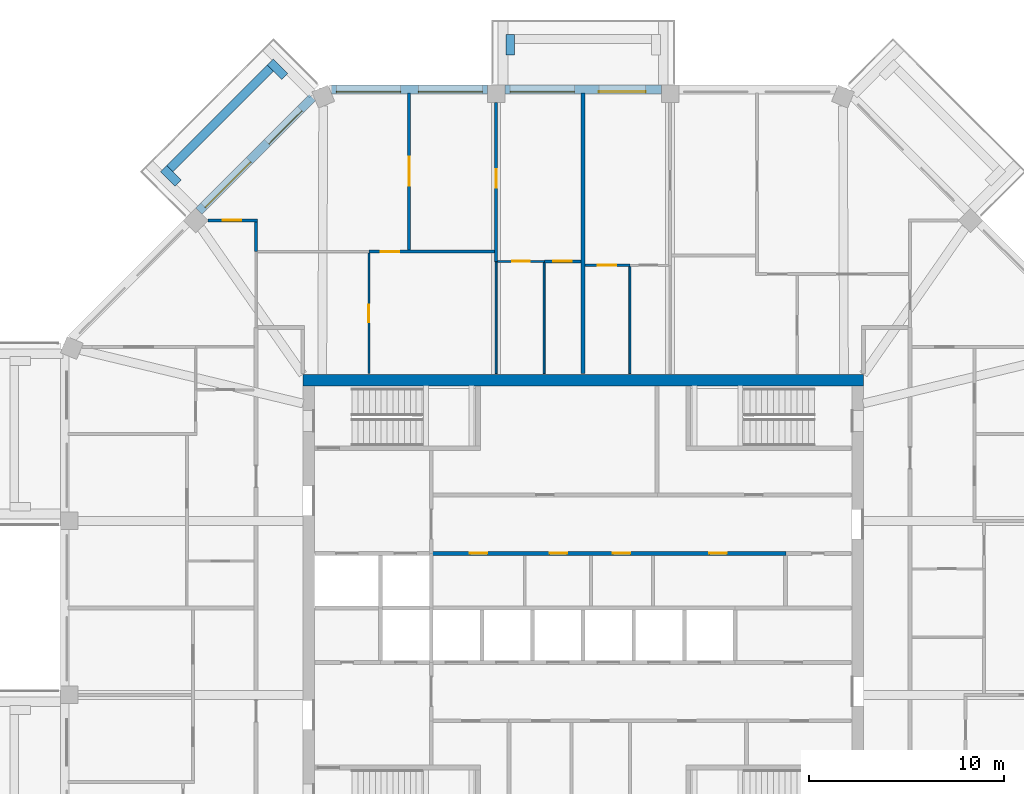
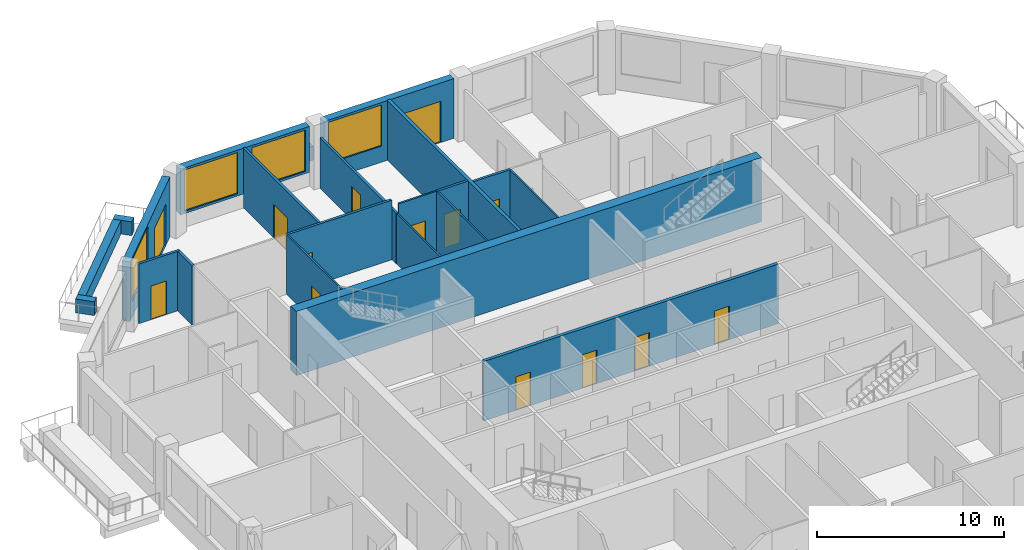
# One storey, part 8 of 12: 22 walls, 14 doors, 4 windows, 18 openings.
"""IFC4 building model written with IfcOpenShell, lengths in metres."""

from ifc_helpers import new_model, si_unit, direction, frame, frame_2d, origin, place, context, subcontext, project, spatial, rectangle, extrude, material, layer, layer_set, type_object, element, fill, save


model = new_model("IFC4")

# Units and contexts
model_context = context("Model", 3, precision=1e-05, world=origin(), true_north=direction((0.0, 1.0)))
body_context = subcontext(model_context, "Body", "Model", "MODEL_VIEW")
ifc_project = project(units=[si_unit("LENGTHUNIT", "METRE"), si_unit("AREAUNIT", "SQUARE_METRE"), si_unit("VOLUMEUNIT", "CUBIC_METRE"), si_unit("PLANEANGLEUNIT", "RADIAN"), si_unit("MASSUNIT", "GRAM", prefix="KILO")], contexts=[model_context])

# Site, building, storey
site_placement = place(None, origin())
site = spatial("IfcSite", under=ifc_project, at=site_placement, CompositionType="ELEMENT")
building_placement = place(site_placement, origin())
building = spatial("IfcBuilding", under=site, at=building_placement, Name="Msitu Wima Residences", CompositionType="ELEMENT")
storey_placement = place(building_placement, frame((0.0, 0.0, 310.5)))
storey = spatial("IfcBuildingStorey", under=building, at=storey_placement, Name="L72", CompositionType="ELEMENT", Elevation=310.5)

# Walls
ifc_material_1 = material(Name="Facing brick")
ifc_layer_1 = layer(ifc_material_1, 0.06494140625, Name="Facing brick")
ifc_material_2 = material(Name="Concrete C40/50", Category="concrete")
ifc_layer_2 = layer(ifc_material_2, 0.156005859375, Name="Concrete C40/50")
ifc_material_3 = material(Name="Waterproofing membrane")
ifc_layer_3 = layer(ifc_material_3, 0.00390625, Name="Waterproofing membrane")
ifc_material_4 = material(Name="Planting soil and planting")
ifc_layer_4 = layer(ifc_material_4, 0.22509765625, Name="Planting soil and planting")
ifc_layer_set_1 = layer_set([ifc_layer_1, ifc_layer_2, ifc_layer_3, ifc_layer_4], Name="Concrete C40/50")
wall_type_1 = type_object("IfcWallType", Name="Balcony planter PLANTER PL450", PredefinedType="USERDEFINED", material=ifc_layer_set_1)
wall_1_placement = place(storey_placement, frame((-3.74365234375, 28.39990234375, 0.0), z_axis=(0.0, 0.0, 1.0), x_axis=(0.0, 1.0, 0.0)))
element("IfcWall", 1, at=wall_1_placement, inside=storey, type_object=wall_type_1, Name="Balcony planter N1 L72", ObjectType="PLANTER", PredefinedType="USERDEFINED", context=body_context, shape_type="SweptSolid", body=[
    extrude(rectangle(XDim=1.050048828125, YDim=0.449951171875, at=frame_2d((0.52490234375, 0.0))), origin(), (0.0, 0.0, 1.0), 0.89990234375),
])
wall_2_placement = place(storey_placement, frame((-16.0751953125, 27.725830078125, 0.0), z_axis=(0.0, 0.0, 1.0), x_axis=(-0.707106781187, -0.707106781187, 0.0)))
element("IfcWall", 2, at=wall_2_placement, inside=storey, type_object=wall_type_1, Name="Balcony planter NW0 L72", ObjectType="PLANTER", PredefinedType="USERDEFINED", context=body_context, shape_type="SweptSolid", body=[
    extrude(rectangle(XDim=7.288330078125, YDim=0.449951171875, at=frame_2d((3.64404296875, 0.0))), origin(), (0.0, 0.0, 1.0), 0.89990234375),
])
for number, where, z_axis, x_axis, name in (
    (3, (-15.332763671875, 27.301513671875, 0.0), (0.0, 0.0, 1.0), (-0.707106781187, 0.707106781187, 0.0), "Balcony planter NW0 L72"),
    (4, (-20.804443359375, 21.829833984375, 0.0), (0.0, 0.0, 1.0), (-0.707106781187, 0.707106781187, 0.0), "Balcony planter NW0 L72"),
):
    element("IfcWall", number, at=place(storey_placement, frame(where, z_axis=z_axis, x_axis=x_axis)), inside=storey, type_object=wall_type_1, Name=name, ObjectType="PLANTER", PredefinedType="USERDEFINED", context=body_context, shape_type="SweptSolid", body=[
        extrude(rectangle(XDim=1.050048828125, YDim=0.449951171875, at=frame_2d((0.52490234375, 0.0))), origin(), (0.0, 0.0, 1.0), 0.89990234375),
    ])

# Wall, openings, door, window
ifc_material_5 = material(Name="Brick (red buff mix)", Category="masonry")
ifc_layer_5 = layer(ifc_material_5, 0.449951171875)
ifc_layer_set_2 = layer_set([ifc_layer_5], Name="Brick (red buff mix)")
wall_type_2 = type_object("IfcWallType", Name="Brick infill wall BW450", PredefinedType="SOLIDWALL", material=ifc_layer_set_2)
wall_3_placement = place(storey_placement, frame((4.0185546875, 26.625, 0.0), z_axis=(0.0, 0.0, 1.0), x_axis=(-1.0, 0.0, 0.0)))
wall_3 = element("IfcWall", 5, at=wall_3_placement, inside=storey, type_object=wall_type_2, Name="Brick infill wall L72 N1", PredefinedType="SOLIDWALL", context=body_context, shape_type="SweptSolid", body=[
    extrude(rectangle(XDim=8.037109375, YDim=0.449951171875, at=frame_2d((4.0185546875, 0.0))), origin(), (0.0, 0.0, 1.0), 3.89990234375),
])
opening_1_placement = place(wall_3_placement, frame((0.809326171875, 0.0, 0.0)))
opening_1 = element("IfcOpeningElement", 6, at=opening_1_placement, cuts=wall_3, Name="Opening D72.003", PredefinedType="OPENING", context=body_context, shape_type="SweptSolid", body=[
    extrude(rectangle(XDim=2.39990234375, YDim=2.699951171875, at=frame_2d((1.199951171875, 1.35009765625))), frame((0.0, 0.23486328125, 0.0), z_axis=(0.0, -1.0, 0.0), x_axis=(1.0, 0.0, 0.0)), (0.0, 0.0, 1.0), 0.469970703125),
])
opening_2_placement = place(wall_3_placement, frame((4.46875, 0.0, 1.050048828125)))
opening_2 = element("IfcOpeningElement", 7, at=opening_2_placement, cuts=wall_3, Name="Opening W72.007", PredefinedType="OPENING", context=body_context, shape_type="SweptSolid", body=[
    extrude(rectangle(XDim=3.300048828125, YDim=2.699951171875, at=frame_2d((1.64990234375, 1.35009765625))), frame((0.0, 0.23486328125, 0.0), z_axis=(0.0, -1.0, 0.0), x_axis=(1.0, 0.0, 0.0)), (0.0, 0.0, 1.0), 0.469970703125),
])
ifc_material_6 = material(Name="Anodised aluminium, bronze finish, clear low-emissivity double glazing", Category="aluminium")
door_type_1 = type_object("IfcDoorType", Name="Balcony door D2400x2700", OperationType="SLIDING_TO_LEFT", PredefinedType="DOOR", material=ifc_material_6)
door_1_placement = place(opening_1_placement, origin())
door_1 = element("IfcDoor", 8, at=door_1_placement, inside=storey, type_object=door_type_1, Name="Balcony door L72 N1", OperationType="SINGLE_SWING_LEFT", OverallHeight=2.699951171875, OverallWidth=2.39990234375, PredefinedType="DOOR", context=body_context, shape_type="SweptSolid", body=[
    extrude(rectangle(XDim=2.39990234375, YDim=2.699951171875, at=frame_2d((1.199951171875, 1.35009765625))), frame((0.0, 0.1298828125, 0.0), z_axis=(0.0, -1.0, 0.0), x_axis=(1.0, 0.0, 0.0)), (0.0, 0.0, 1.0), 0.050048828125),
])
fill(opening_1, door_1)
window_type = type_object("IfcWindowType", Name="Window W3300x2700", PartitioningType="DOUBLE_PANEL_VERTICAL", PredefinedType="WINDOW", material=ifc_material_6)
window_1_placement = place(opening_2_placement, origin())
window_1 = element("IfcWindow", 9, at=window_1_placement, inside=storey, type_object=window_type, Name="Window L72 N1.2", OverallHeight=2.699951171875, OverallWidth=3.300048828125, PartitioningType="SINGLE_PANEL", PredefinedType="WINDOW", context=body_context, shape_type="SweptSolid", body=[
    extrude(rectangle(XDim=3.300048828125, YDim=2.699951171875, at=frame_2d((1.64990234375, 1.35009765625))), frame((0.0, 0.135009765625, 0.0), z_axis=(0.0, -1.0, 0.0), x_axis=(1.0, 0.0, 0.0)), (0.0, 0.0, 1.0), 0.06005859375),
])
fill(opening_2, window_1)

# Wall, openings, windows
wall_4_placement = place(storey_placement, frame((-4.918701171875, 26.625, 0.89990234375), z_axis=(0.0, 0.0, 1.0), x_axis=(-1.0, 0.0, 0.0)))
wall_4 = element("IfcWall", 10, at=wall_4_placement, inside=storey, type_object=wall_type_2, Name="Brick infill wall L72 N2", PredefinedType="SOLIDWALL", context=body_context, shape_type="SweptSolid", body=[
    extrude(rectangle(XDim=8.0, YDim=0.449951171875, at=frame_2d((4.0, 0.0))), origin(), (0.0, 0.0, 1.0), 3.0),
])
opening_3_placement = place(wall_4_placement, frame((0.25, 0.0, 0.14990234375)))
opening_3 = element("IfcOpeningElement", 11, at=opening_3_placement, cuts=wall_4, Name="Opening W72.008", PredefinedType="OPENING", context=body_context, shape_type="SweptSolid", body=[
    extrude(rectangle(XDim=3.300048828125, YDim=2.699951171875, at=frame_2d((1.64990234375, 1.35009765625))), frame((0.0, 0.23486328125, 0.0), z_axis=(0.0, -1.0, 0.0), x_axis=(1.0, 0.0, 0.0)), (0.0, 0.0, 1.0), 0.469970703125),
])
opening_4_placement = place(wall_4_placement, frame((4.4501953125, 0.0, 0.14990234375)))
opening_4 = element("IfcOpeningElement", 12, at=opening_4_placement, cuts=wall_4, Name="Opening W72.009", PredefinedType="OPENING", context=body_context, shape_type="SweptSolid", body=[
    extrude(rectangle(XDim=3.300048828125, YDim=2.699951171875, at=frame_2d((1.64990234375, 1.35009765625))), frame((0.0, 0.23486328125, 0.0), z_axis=(0.0, -1.0, 0.0), x_axis=(1.0, 0.0, 0.0)), (0.0, 0.0, 1.0), 0.469970703125),
])
window_2_placement = place(opening_3_placement, origin())
window_2 = element("IfcWindow", 13, at=window_2_placement, inside=storey, type_object=window_type, Name="Window L72 N2.1", OverallHeight=2.699951171875, OverallWidth=3.300048828125, PartitioningType="SINGLE_PANEL", PredefinedType="WINDOW", context=body_context, shape_type="SweptSolid", body=[
    extrude(rectangle(XDim=3.300048828125, YDim=2.699951171875, at=frame_2d((1.64990234375, 1.35009765625))), frame((0.0, 0.135009765625, 0.0), z_axis=(0.0, -1.0, 0.0), x_axis=(1.0, 0.0, 0.0)), (0.0, 0.0, 1.0), 0.06005859375),
])
fill(opening_3, window_2)
window_3_placement = place(opening_4_placement, origin())
window_3 = element("IfcWindow", 14, at=window_3_placement, inside=storey, type_object=window_type, Name="Window L72 N2.2", OverallHeight=2.699951171875, OverallWidth=3.300048828125, PartitioningType="SINGLE_PANEL", PredefinedType="WINDOW", context=body_context, shape_type="SweptSolid", body=[
    extrude(rectangle(XDim=3.300048828125, YDim=2.699951171875, at=frame_2d((1.64990234375, 1.35009765625))), frame((0.0, 0.135009765625, 0.0), z_axis=(0.0, -1.0, 0.0), x_axis=(1.0, 0.0, 0.0)), (0.0, 0.0, 1.0), 0.06005859375),
])
fill(opening_4, window_3)

# Wall, openings, door, window
wall_5_placement = place(storey_placement, frame((-13.909423828125, 26.214599609375, 0.0), z_axis=(0.0, 0.0, 1.0), x_axis=(-0.707106781187, -0.707106781187, 0.0)))
wall_5 = element("IfcWall", 15, at=wall_5_placement, inside=storey, type_object=wall_type_2, Name="Brick infill wall L72 NW0", PredefinedType="SOLIDWALL", context=body_context, shape_type="SweptSolid", body=[
    extrude(rectangle(XDim=8.251220703125, YDim=0.449951171875, at=frame_2d((4.12548828125, 0.0))), origin(), (0.0, 0.0, 1.0), 3.89990234375),
])
opening_5_placement = place(wall_5_placement, frame((0.86279296875, 0.0, 0.0)))
opening_5 = element("IfcOpeningElement", 16, at=opening_5_placement, cuts=wall_5, Name="Opening D72.005", PredefinedType="OPENING", context=body_context, shape_type="SweptSolid", body=[
    extrude(rectangle(XDim=2.39990234375, YDim=2.699951171875, at=frame_2d((1.199951171875, 1.35009765625))), frame((0.0, 0.23486328125, 0.0), z_axis=(0.0, -1.0, 0.0), x_axis=(1.0, 0.0, 0.0)), (0.0, 0.0, 1.0), 0.469970703125),
])
opening_6_placement = place(wall_5_placement, frame((4.57568359375, 0.0, 1.050048828125)))
opening_6 = element("IfcOpeningElement", 17, at=opening_6_placement, cuts=wall_5, Name="Opening W72.013", PredefinedType="OPENING", context=body_context, shape_type="SweptSolid", body=[
    extrude(rectangle(XDim=3.300048828125, YDim=2.699951171875, at=frame_2d((1.64990234375, 1.35009765625))), frame((0.0, 0.23486328125, 0.0), z_axis=(0.0, -1.0, 0.0), x_axis=(1.0, 0.0, 0.0)), (0.0, 0.0, 1.0), 0.469970703125),
])
door_2_placement = place(opening_5_placement, origin())
door_2 = element("IfcDoor", 18, at=door_2_placement, inside=storey, type_object=door_type_1, Name="Balcony door L72 NW0", OperationType="SINGLE_SWING_LEFT", OverallHeight=2.699951171875, OverallWidth=2.39990234375, PredefinedType="DOOR", context=body_context, shape_type="SweptSolid", body=[
    extrude(rectangle(XDim=2.39990234375, YDim=2.699951171875, at=frame_2d((1.199951171875, 1.35009765625))), frame((0.0, 0.1298828125, 0.0), z_axis=(0.0, -1.0, 0.0), x_axis=(1.0, 0.0, 0.0)), (0.0, 0.0, 1.0), 0.050048828125),
])
fill(opening_5, door_2)
window_4_placement = place(opening_6_placement, origin())
window_4 = element("IfcWindow", 19, at=window_4_placement, inside=storey, type_object=window_type, Name="Window L72 NW0.2", OverallHeight=2.699951171875, OverallWidth=3.300048828125, PartitioningType="SINGLE_PANEL", PredefinedType="WINDOW", context=body_context, shape_type="SweptSolid", body=[
    extrude(rectangle(XDim=3.300048828125, YDim=2.699951171875, at=frame_2d((1.64990234375, 1.35009765625))), frame((0.0, 0.135009765625, 0.0), z_axis=(0.0, -1.0, 0.0), x_axis=(1.0, 0.0, 0.0)), (0.0, 0.0, 1.0), 0.06005859375),
])
fill(opening_6, window_4)

# Wall
ifc_material_7 = material(Name="Concrete C50/60", Category="concrete")
ifc_layer_6 = layer(ifc_material_7, 0.60009765625)
ifc_layer_set_3 = layer_set([ifc_layer_6], Name="Concrete C50/60")
wall_type_3 = type_object("IfcWallType", Name="Core wall CW600 C50/60", PredefinedType="SHEAR", material=ifc_layer_set_3)
wall_6_placement = place(storey_placement, frame((-14.39990234375, 11.699951171875, 0.0), z_axis=(0.0, 0.0, 1.0), x_axis=(1.0, 0.0, 0.0)))
element("IfcWall", 20, at=wall_6_placement, inside=storey, type_object=wall_type_3, Name="Core wall", PredefinedType="SHEAR", context=body_context, shape_type="SweptSolid", body=[
    extrude(rectangle(XDim=28.7998046875, YDim=0.60009765625, at=frame_2d((14.39990234375, 0.0))), origin(), (0.0, 0.0, 1.0), 4.199951171875),
])

# Wall, openings, doors
ifc_material_8 = material(Name="Plaster")
ifc_layer_7 = layer(ifc_material_8, 0.011962890625, Name="Plaster")
ifc_material_9 = material(Name="Concrete blockwork", Category="masonry")
ifc_layer_8 = layer(ifc_material_9, 0.176025390625, Name="Concrete blockwork")
ifc_layer_9 = layer(ifc_material_8, 0.011962890625, Name="Plaster")
ifc_layer_set_4 = layer_set([ifc_layer_7, ifc_layer_8, ifc_layer_9], Name="Concrete blockwork")
wall_type_4 = type_object("IfcWallType", Name="Corridor wall FW200", PredefinedType="PARTITIONING", material=ifc_layer_set_4)
wall_7_placement = place(storey_placement, frame((-7.820068359375, 2.800048828125, 0.0), z_axis=(0.0, 0.0, 1.0), x_axis=(1.0, 0.0, 0.0)))
wall_7 = element("IfcWall", 21, at=wall_7_placement, inside=storey, type_object=wall_type_4, Name="Corridor wall", PredefinedType="PARTITIONING", context=body_context, shape_type="SweptSolid", body=[
    extrude(rectangle(XDim=18.239990234375, YDim=0.199951171875, at=frame_2d((9.1201171875, 0.0))), origin(), (0.0, 0.0, 1.0), 3.89990234375),
])
opening_7_placement = place(wall_7_placement, frame((2.0, 0.0, 0.0)))
opening_7 = element("IfcOpeningElement", 22, at=opening_7_placement, cuts=wall_7, Name="Opening D72.078", PredefinedType="OPENING", context=body_context, shape_type="SweptSolid", body=[
    extrude(rectangle(XDim=0.89990234375, YDim=2.199951171875, at=frame_2d((0.449951171875, 1.10009765625))), frame((0.0, 0.10986328125, 0.0), z_axis=(0.0, -1.0, 0.0), x_axis=(1.0, 0.0, 0.0)), (0.0, 0.0, 1.0), 0.219970703125),
])
opening_8_placement = place(wall_7_placement, frame((6.10009765625, 0.0, 0.0)))
opening_8 = element("IfcOpeningElement", 23, at=opening_8_placement, cuts=wall_7, Name="Opening D72.079", PredefinedType="OPENING", context=body_context, shape_type="SweptSolid", body=[
    extrude(rectangle(XDim=0.89990234375, YDim=2.199951171875, at=frame_2d((0.449951171875, 1.10009765625))), frame((0.0, 0.10986328125, 0.0), z_axis=(0.0, -1.0, 0.0), x_axis=(1.0, 0.0, 0.0)), (0.0, 0.0, 1.0), 0.219970703125),
])
opening_9_placement = place(wall_7_placement, frame((9.35009765625, 0.0, 0.0)))
opening_9 = element("IfcOpeningElement", 24, at=opening_9_placement, cuts=wall_7, Name="Opening D72.080", PredefinedType="OPENING", context=body_context, shape_type="SweptSolid", body=[
    extrude(rectangle(XDim=0.89990234375, YDim=2.199951171875, at=frame_2d((0.449951171875, 1.10009765625))), frame((0.0, 0.10986328125, 0.0), z_axis=(0.0, -1.0, 0.0), x_axis=(1.0, 0.0, 0.0)), (0.0, 0.0, 1.0), 0.219970703125),
])
opening_10_placement = place(wall_7_placement, frame((14.300048828125, 0.0, 0.0)))
opening_10 = element("IfcOpeningElement", 25, at=opening_10_placement, cuts=wall_7, Name="Opening D72.081", PredefinedType="OPENING", context=body_context, shape_type="SweptSolid", body=[
    extrude(rectangle(XDim=0.89990234375, YDim=2.199951171875, at=frame_2d((0.449951171875, 1.10009765625))), frame((0.0, 0.10986328125, 0.0), z_axis=(0.0, -1.0, 0.0), x_axis=(1.0, 0.0, 0.0)), (0.0, 0.0, 1.0), 0.219970703125),
])
ifc_material_10 = material(Name="Timber flush door", Category="wood")
door_type_2 = type_object("IfcDoorType", Name="Service door D05 900x2200", OperationType="SINGLE_SWING_LEFT", PredefinedType="DOOR", material=ifc_material_10)
door_3_placement = place(opening_7_placement, origin())
door_3 = element("IfcDoor", 26, at=door_3_placement, inside=storey, type_object=door_type_2, Name="Service door", OperationType="SINGLE_SWING_LEFT", OverallHeight=2.199951171875, OverallWidth=0.89990234375, PredefinedType="DOOR", context=body_context, shape_type="SweptSolid", body=[
    extrude(rectangle(XDim=0.89990234375, YDim=2.199951171875, at=frame_2d((0.449951171875, 1.10009765625))), frame((0.0, 0.02490234375, 0.0), z_axis=(0.0, -1.0, 0.0), x_axis=(1.0, 0.0, 0.0)), (0.0, 0.0, 1.0), 0.050048828125),
])
fill(opening_7, door_3)
door_4_placement = place(opening_8_placement, origin())
door_4 = element("IfcDoor", 27, at=door_4_placement, inside=storey, type_object=door_type_2, Name="Service door", OperationType="SINGLE_SWING_LEFT", OverallHeight=2.199951171875, OverallWidth=0.89990234375, PredefinedType="DOOR", context=body_context, shape_type="SweptSolid", body=[
    extrude(rectangle(XDim=0.89990234375, YDim=2.199951171875, at=frame_2d((0.449951171875, 1.10009765625))), frame((0.0, 0.02490234375, 0.0), z_axis=(0.0, -1.0, 0.0), x_axis=(1.0, 0.0, 0.0)), (0.0, 0.0, 1.0), 0.050048828125),
])
fill(opening_8, door_4)
door_5_placement = place(opening_9_placement, origin())
door_5 = element("IfcDoor", 28, at=door_5_placement, inside=storey, type_object=door_type_2, Name="Service door", OperationType="SINGLE_SWING_RIGHT", OverallHeight=2.199951171875, OverallWidth=0.89990234375, PredefinedType="DOOR", context=body_context, shape_type="SweptSolid", body=[
    extrude(rectangle(XDim=0.89990234375, YDim=2.199951171875, at=frame_2d((0.449951171875, 1.10009765625))), frame((0.0, 0.02490234375, 0.0), z_axis=(0.0, -1.0, 0.0), x_axis=(1.0, 0.0, 0.0)), (0.0, 0.0, 1.0), 0.050048828125),
])
fill(opening_9, door_5)
door_6_placement = place(opening_10_placement, origin())
door_6 = element("IfcDoor", 29, at=door_6_placement, inside=storey, type_object=door_type_2, Name="Service door", OperationType="SINGLE_SWING_RIGHT", OverallHeight=2.199951171875, OverallWidth=0.89990234375, PredefinedType="DOOR", context=body_context, shape_type="SweptSolid", body=[
    extrude(rectangle(XDim=0.89990234375, YDim=2.199951171875, at=frame_2d((0.449951171875, 1.10009765625))), frame((0.0, 0.02490234375, 0.0), z_axis=(0.0, -1.0, 0.0), x_axis=(1.0, 0.0, 0.0)), (0.0, 0.0, 1.0), 0.050048828125),
])
fill(opening_10, door_6)

# Wall, opening, door
ifc_layer_10 = layer(ifc_material_8, 0.011962890625, Name="Plaster")
ifc_layer_11 = layer(ifc_material_9, 0.1259765625, Name="Concrete blockwork")
ifc_layer_12 = layer(ifc_material_8, 0.011962890625, Name="Plaster")
ifc_layer_set_5 = layer_set([ifc_layer_10, ifc_layer_11, ifc_layer_12], Name="Concrete blockwork")
wall_type_5 = type_object("IfcWallType", Name="Partition PW150", PredefinedType="PARTITIONING", material=ifc_layer_set_5)
wall_8_placement = place(storey_placement, frame((-19.2666015625, 19.90283203125, 0.0), z_axis=(0.0, 0.0, 1.0), x_axis=(1.0, 0.0, 0.0)))
wall_8 = element("IfcWall", 30, at=wall_8_placement, inside=storey, type_object=wall_type_5, Name="Partition", PredefinedType="PARTITIONING", context=body_context, shape_type="SweptSolid", body=[
    extrude(rectangle(XDim=2.54150390625, YDim=0.14990234375, at=frame_2d((1.270751953125, 0.0))), origin(), (0.0, 0.0, 1.0), 3.89990234375),
])
opening_11_placement = place(wall_8_placement, frame((0.75, 0.0, 0.0)))
opening_11 = element("IfcOpeningElement", 31, at=opening_11_placement, cuts=wall_8, Name="Opening D72.046", PredefinedType="OPENING", context=body_context, shape_type="SweptSolid", body=[
    extrude(rectangle(XDim=0.949951171875, YDim=2.199951171875, at=frame_2d((0.47509765625, 1.10009765625))), frame((0.0, 0.0849609375, 0.0), z_axis=(0.0, -1.0, 0.0), x_axis=(1.0, 0.0, 0.0)), (0.0, 0.0, 1.0), 0.169921875),
])
door_type_3 = type_object("IfcDoorType", Name="Room door D12 950x2200", OperationType="SINGLE_SWING_LEFT", PredefinedType="DOOR", material=ifc_material_10)
door_7_placement = place(opening_11_placement, origin())
door_7 = element("IfcDoor", 32, at=door_7_placement, inside=storey, type_object=door_type_3, Name="Room door", OperationType="SINGLE_SWING_LEFT", OverallHeight=2.199951171875, OverallWidth=0.949951171875, PredefinedType="DOOR", context=body_context, shape_type="SweptSolid", body=[
    extrude(rectangle(XDim=0.949951171875, YDim=2.199951171875, at=frame_2d((0.47509765625, 1.10009765625))), frame((0.0, 0.02490234375, 0.0), z_axis=(0.0, -1.0, 0.0), x_axis=(1.0, 0.0, 0.0)), (0.0, 0.0, 1.0), 0.050048828125),
])
fill(opening_11, door_7)

# Wall
wall_9_placement = place(storey_placement, frame((-16.800048828125, 18.300048828125, 0.0), z_axis=(0.0, 0.0, 1.0), x_axis=(0.0, 1.0, 0.0)))
element("IfcWall", 33, at=wall_9_placement, inside=storey, type_object=wall_type_5, Name="Partition", PredefinedType="PARTITIONING", context=body_context, shape_type="SweptSolid", body=[
    extrude(rectangle(XDim=1.52783203125, YDim=0.14990234375, at=frame_2d((0.763916015625, 0.0))), origin(), (0.0, 0.0, 1.0), 3.89990234375),
])

# Wall, opening, door
wall_10_placement = place(storey_placement, frame((-11.0, 18.300048828125, 0.0), z_axis=(0.0, 0.0, 1.0), x_axis=(1.0, 0.0, 0.0)))
wall_10 = element("IfcWall", 34, at=wall_10_placement, inside=storey, type_object=wall_type_5, Name="Partition", PredefinedType="PARTITIONING", context=body_context, shape_type="SweptSolid", body=[
    extrude(rectangle(XDim=6.456298828125, YDim=0.14990234375, at=frame_2d((3.22802734375, 0.0))), origin(), (0.0, 0.0, 1.0), 3.89990234375),
])
opening_12_placement = place(wall_10_placement, frame((0.60009765625, 0.0, 0.0)))
opening_12 = element("IfcOpeningElement", 35, at=opening_12_placement, cuts=wall_10, Name="Opening D72.047", PredefinedType="OPENING", context=body_context, shape_type="SweptSolid", body=[
    extrude(rectangle(XDim=0.949951171875, YDim=2.199951171875, at=frame_2d((0.47509765625, 1.10009765625))), frame((0.0, 0.0849609375, 0.0), z_axis=(0.0, -1.0, 0.0), x_axis=(1.0, 0.0, 0.0)), (0.0, 0.0, 1.0), 0.169921875),
])
door_8_placement = place(opening_12_placement, origin())
door_8 = element("IfcDoor", 36, at=door_8_placement, inside=storey, type_object=door_type_3, Name="Room door", OperationType="SINGLE_SWING_RIGHT", OverallHeight=2.199951171875, OverallWidth=0.949951171875, PredefinedType="DOOR", context=body_context, shape_type="SweptSolid", body=[
    extrude(rectangle(XDim=0.949951171875, YDim=2.199951171875, at=frame_2d((0.47509765625, 1.10009765625))), frame((0.0, 0.02490234375, 0.0), z_axis=(0.0, -1.0, 0.0), x_axis=(1.0, 0.0, 0.0)), (0.0, 0.0, 1.0), 0.050048828125),
])
fill(opening_12, door_8)

wall_11_placement = place(storey_placement, frame((-8.937255859375, 18.375, 0.0), z_axis=(0.0, 0.0, 1.0), x_axis=(0.0, 1.0, 0.0)))
wall_11 = element("IfcWall", 37, at=wall_11_placement, inside=storey, type_object=wall_type_5, Name="Partition", PredefinedType="PARTITIONING", context=body_context, shape_type="SweptSolid", body=[
    extrude(rectangle(XDim=8.080078125, YDim=0.14990234375, at=frame_2d((4.0400390625, 0.0))), origin(), (0.0, 0.0, 1.0), 3.89990234375),
])
opening_13_placement = place(wall_11_placement, frame((3.300048828125, 0.0, 0.0)))
opening_13 = element("IfcOpeningElement", 38, at=opening_13_placement, cuts=wall_11, Name="Opening D72.049", PredefinedType="OPENING", context=body_context, shape_type="SweptSolid", body=[
    extrude(rectangle(XDim=1.5, YDim=2.199951171875, at=frame_2d((0.75, 1.10009765625))), frame((0.0, 0.0849609375, 0.0), z_axis=(0.0, -1.0, 0.0), x_axis=(1.0, 0.0, 0.0)), (0.0, 0.0, 1.0), 0.169921875),
])
ifc_material_11 = material(Name="Timber double door", Category="wood")
door_type_4 = type_object("IfcDoorType", Name="Double door D04 1500x2200", OperationType="DOUBLE_DOOR_SINGLE_SWING", PredefinedType="DOOR", material=ifc_material_11)
door_9_placement = place(opening_13_placement, origin())
door_9 = element("IfcDoor", 39, at=door_9_placement, inside=storey, type_object=door_type_4, Name="Double door", OperationType="DOUBLE_DOOR_SINGLE_SWING", OverallHeight=2.199951171875, OverallWidth=1.5, PredefinedType="DOOR", context=body_context, shape_type="SweptSolid", body=[
    extrude(rectangle(XDim=1.5, YDim=2.199951171875, at=frame_2d((0.75, 1.10009765625))), frame((0.0, 0.02490234375, 0.0), z_axis=(0.0, -1.0, 0.0), x_axis=(1.0, 0.0, 0.0)), (0.0, 0.0, 1.0), 0.050048828125),
])
fill(opening_13, door_9)

wall_12_placement = place(storey_placement, frame((-4.46875, 17.780029296875, 0.0), z_axis=(0.0, 0.0, 1.0), x_axis=(0.0, 1.0, 0.0)))
wall_12 = element("IfcWall", 40, at=wall_12_placement, inside=storey, type_object=wall_type_5, Name="Partition", PredefinedType="PARTITIONING", context=body_context, shape_type="SweptSolid", body=[
    extrude(rectangle(XDim=8.169921875, YDim=0.14990234375, at=frame_2d((4.0849609375, 0.0))), origin(), (0.0, 0.0, 1.0), 3.300048828125),
])
opening_14_placement = place(wall_12_placement, frame((3.800048828125, 0.0, 0.0)))
opening_14 = element("IfcOpeningElement", 41, at=opening_14_placement, cuts=wall_12, Name="Opening D72.039", PredefinedType="OPENING", context=body_context, shape_type="SweptSolid", body=[
    extrude(rectangle(XDim=0.949951171875, YDim=2.199951171875, at=frame_2d((0.47509765625, 1.10009765625))), frame((0.0, 0.0849609375, 0.0), z_axis=(0.0, -1.0, 0.0), x_axis=(1.0, 0.0, 0.0)), (0.0, 0.0, 1.0), 0.169921875),
])
door_10_placement = place(opening_14_placement, origin())
door_10 = element("IfcDoor", 42, at=door_10_placement, inside=storey, type_object=door_type_3, Name="Room door", OperationType="SINGLE_SWING_LEFT", OverallHeight=2.199951171875, OverallWidth=0.949951171875, PredefinedType="DOOR", context=body_context, shape_type="SweptSolid", body=[
    extrude(rectangle(XDim=0.949951171875, YDim=2.199951171875, at=frame_2d((0.47509765625, 1.10009765625))), frame((0.0, 0.02490234375, 0.0), z_axis=(0.0, -1.0, 0.0), x_axis=(1.0, 0.0, 0.0)), (0.0, 0.0, 1.0), 0.050048828125),
])
fill(opening_14, door_10)

wall_13_placement = place(storey_placement, frame((-1.97998046875, 17.800048828125, 0.0), z_axis=(0.0, 0.0, 1.0), x_axis=(1.0, 0.0, 0.0)))
wall_13 = element("IfcWall", 43, at=wall_13_placement, inside=storey, type_object=wall_type_5, Name="Partition", PredefinedType="PARTITIONING", context=body_context, shape_type="SweptSolid", body=[
    extrude(rectangle(XDim=1.8798828125, YDim=0.14990234375, at=frame_2d((0.93994140625, 0.0))), origin(), (0.0, 0.0, 1.0), 3.89990234375),
])
opening_15_placement = place(wall_13_placement, frame((0.449951171875, 0.0, 0.0)))
opening_15 = element("IfcOpeningElement", 44, at=opening_15_placement, cuts=wall_13, Name="Opening D72.040", PredefinedType="OPENING", context=body_context, shape_type="SweptSolid", body=[
    extrude(rectangle(XDim=0.949951171875, YDim=2.199951171875, at=frame_2d((0.47509765625, 1.10009765625))), frame((0.0, 0.0849609375, 0.0), z_axis=(0.0, -1.0, 0.0), x_axis=(1.0, 0.0, 0.0)), (0.0, 0.0, 1.0), 0.169921875),
])
door_11_placement = place(opening_15_placement, origin())
door_11 = element("IfcDoor", 45, at=door_11_placement, inside=storey, type_object=door_type_3, Name="Room door", OperationType="SINGLE_SWING_RIGHT", OverallHeight=2.199951171875, OverallWidth=0.949951171875, PredefinedType="DOOR", context=body_context, shape_type="SweptSolid", body=[
    extrude(rectangle(XDim=0.949951171875, YDim=2.199951171875, at=frame_2d((0.47509765625, 1.10009765625))), frame((0.0, 0.02490234375, 0.0), z_axis=(0.0, -1.0, 0.0), x_axis=(1.0, 0.0, 0.0)), (0.0, 0.0, 1.0), 0.050048828125),
])
fill(opening_15, door_11)

wall_14_placement = place(storey_placement, frame((0.10009765625, 17.60009765625, 0.0), z_axis=(0.0, 0.0, 1.0), x_axis=(1.0, 0.0, 0.0)))
wall_14 = element("IfcWall", 46, at=wall_14_placement, inside=storey, type_object=wall_type_5, Name="Partition", PredefinedType="PARTITIONING", context=body_context, shape_type="SweptSolid", body=[
    extrude(rectangle(XDim=2.2998046875, YDim=0.14990234375, at=frame_2d((1.14990234375, 0.0))), origin(), (0.0, 0.0, 1.0), 3.89990234375),
])
opening_16_placement = place(wall_14_placement, frame((0.64990234375, 0.0, 0.0)))
opening_16 = element("IfcOpeningElement", 47, at=opening_16_placement, cuts=wall_14, Name="Opening D72.027", PredefinedType="OPENING", context=body_context, shape_type="SweptSolid", body=[
    extrude(rectangle(XDim=0.949951171875, YDim=2.199951171875, at=frame_2d((0.47509765625, 1.10009765625))), frame((0.0, 0.0849609375, 0.0), z_axis=(0.0, -1.0, 0.0), x_axis=(1.0, 0.0, 0.0)), (0.0, 0.0, 1.0), 0.169921875),
])
door_12_placement = place(opening_16_placement, origin())
door_12 = element("IfcDoor", 48, at=door_12_placement, inside=storey, type_object=door_type_3, Name="Room door", OperationType="SINGLE_SWING_LEFT", OverallHeight=2.199951171875, OverallWidth=0.949951171875, PredefinedType="DOOR", context=body_context, shape_type="SweptSolid", body=[
    extrude(rectangle(XDim=0.949951171875, YDim=2.199951171875, at=frame_2d((0.47509765625, 1.10009765625))), frame((0.0, 0.02490234375, 0.0), z_axis=(0.0, -1.0, 0.0), x_axis=(1.0, 0.0, 0.0)), (0.0, 0.0, 1.0), 0.050048828125),
])
fill(opening_16, door_12)

# Wall
ifc_layer_13 = layer(ifc_material_8, 0.011962890625, Name="Plaster")
ifc_material_12 = material(Name="Dense concrete blockwork", Category="masonry")
ifc_layer_14 = layer(ifc_material_12, 0.176025390625, Name="Dense concrete blockwork")
ifc_layer_15 = layer(ifc_material_8, 0.011962890625, Name="Plaster")
ifc_layer_set_6 = layer_set([ifc_layer_13, ifc_layer_14, ifc_layer_15], Name="Dense concrete blockwork")
wall_type_6 = type_object("IfcWallType", Name="Party wall PW200", PredefinedType="PARTITIONING", material=ifc_layer_set_6)
wall_15_placement = place(storey_placement, frame((0.0, 12.030029296875, 0.0), z_axis=(0.0, 0.0, 1.0), x_axis=(0.0, 1.0, 0.0)))
element("IfcWall", 49, at=wall_15_placement, inside=storey, type_object=wall_type_6, Name="Party wall", PredefinedType="PARTITIONING", context=body_context, shape_type="SweptSolid", body=[
    extrude(rectangle(XDim=14.425048828125, YDim=0.199951171875, at=frame_2d((7.21240234375, 0.0))), origin(), (0.0, 0.0, 1.0), 3.89990234375),
])

# Wall, opening, door
ifc_material_13 = material(Name="Ceramic tiles")
ifc_layer_16 = layer(ifc_material_13, 0.008056640625, Name="Ceramic tiles")
ifc_material_14 = material(Name="Moisture-resistant board")
ifc_layer_17 = layer(ifc_material_14, 0.012451171875, Name="Moisture-resistant board")
ifc_material_15 = material(Name="Light-gauge stud framing with mineral wool")
ifc_layer_18 = layer(ifc_material_15, 0.06689453125, Name="Light-gauge stud framing with mineral wool")
ifc_layer_19 = layer(ifc_material_14, 0.012451171875, Name="Moisture-resistant board")
ifc_layer_set_7 = layer_set([ifc_layer_16, ifc_layer_17, ifc_layer_18, ifc_layer_19], Name="Light-gauge stud framing with mineral wool")
wall_type_7 = type_object("IfcWallType", Name="Wet wall PW100", PredefinedType="PARTITIONING", material=ifc_layer_set_7)
wall_16_placement = place(storey_placement, frame((-11.0, 12.030029296875, 0.0), z_axis=(0.0, 0.0, 1.0), x_axis=(0.0, 1.0, 0.0)))
wall_16 = element("IfcWall", 50, at=wall_16_placement, inside=storey, type_object=wall_type_7, Name="Wet wall", PredefinedType="PARTITIONING", context=body_context, shape_type="SweptSolid", body=[
    extrude(rectangle(XDim=6.195068359375, YDim=0.10009765625, at=frame_2d((3.09765625, 0.0))), origin(), (0.0, 0.0, 1.0), 3.89990234375),
])
opening_17_placement = place(wall_16_placement, frame((2.64990234375, 0.0, 0.0)))
opening_17 = element("IfcOpeningElement", 51, at=opening_17_placement, cuts=wall_16, Name="Opening D72.048", PredefinedType="OPENING", context=body_context, shape_type="SweptSolid", body=[
    extrude(rectangle(XDim=0.89990234375, YDim=2.199951171875, at=frame_2d((0.449951171875, 1.10009765625))), frame((0.0, 0.06005859375, 0.0), z_axis=(0.0, -1.0, 0.0), x_axis=(1.0, 0.0, 0.0)), (0.0, 0.0, 1.0), 0.1201171875),
])
door_13_placement = place(opening_17_placement, origin())
door_13 = element("IfcDoor", 52, at=door_13_placement, inside=storey, type_object=door_type_2, Name="Service door", OperationType="SINGLE_SWING_LEFT", OverallHeight=2.199951171875, OverallWidth=0.89990234375, PredefinedType="DOOR", context=body_context, shape_type="SweptSolid", body=[
    extrude(rectangle(XDim=0.89990234375, YDim=2.199951171875, at=frame_2d((0.449951171875, 1.10009765625))), frame((0.0, 0.02490234375, 0.0), z_axis=(0.0, -1.0, 0.0), x_axis=(1.0, 0.0, 0.0)), (0.0, 0.0, 1.0), 0.050048828125),
])
fill(opening_17, door_13)

# Wall
wall_17_placement = place(storey_placement, frame((-4.46875, 12.030029296875, 0.0), z_axis=(0.0, 0.0, 1.0), x_axis=(0.0, 1.0, 0.0)))
element("IfcWall", 53, at=wall_17_placement, inside=storey, type_object=wall_type_7, Name="Wet wall", PredefinedType="PARTITIONING", context=body_context, shape_type="SweptSolid", body=[
    extrude(rectangle(XDim=5.75, YDim=0.10009765625, at=frame_2d((2.875, 0.0))), origin(), (0.0, 0.0, 1.0), 3.300048828125),
])

# Wall, opening, door
wall_18_placement = place(storey_placement, frame((-4.3935546875, 17.800048828125, 0.0), z_axis=(0.0, 0.0, 1.0), x_axis=(1.0, 0.0, 0.0)))
wall_18 = element("IfcWall", 54, at=wall_18_placement, inside=storey, type_object=wall_type_7, Name="Wet wall", PredefinedType="PARTITIONING", context=body_context, shape_type="SweptSolid", body=[
    extrude(rectangle(XDim=2.41357421875, YDim=0.10009765625, at=frame_2d((1.206787109375, 0.0))), origin(), (0.0, 0.0, 1.0), 3.89990234375),
])
opening_18_placement = place(wall_18_placement, frame((0.75, 0.0, 0.0)))
opening_18 = element("IfcOpeningElement", 55, at=opening_18_placement, cuts=wall_18, Name="Opening D72.041", PredefinedType="OPENING", context=body_context, shape_type="SweptSolid", body=[
    extrude(rectangle(XDim=0.89990234375, YDim=2.199951171875, at=frame_2d((0.449951171875, 1.10009765625))), frame((0.0, 0.06005859375, 0.0), z_axis=(0.0, -1.0, 0.0), x_axis=(1.0, 0.0, 0.0)), (0.0, 0.0, 1.0), 0.1201171875),
])
ifc_material_16 = material(Name="Timber flush door, moisture resistant", Category="wood")
door_type_5 = type_object("IfcDoorType", Name="Bathroom door D03 900x2200", OperationType="SINGLE_SWING_LEFT", PredefinedType="DOOR", material=ifc_material_16)
door_14_placement = place(opening_18_placement, origin())
door_14 = element("IfcDoor", 56, at=door_14_placement, inside=storey, type_object=door_type_5, Name="Bathroom door", OperationType="SINGLE_SWING_LEFT", OverallHeight=2.199951171875, OverallWidth=0.89990234375, PredefinedType="DOOR", context=body_context, shape_type="SweptSolid", body=[
    extrude(rectangle(XDim=0.89990234375, YDim=2.199951171875, at=frame_2d((0.449951171875, 1.10009765625))), frame((0.0, 0.02490234375, 0.0), z_axis=(0.0, -1.0, 0.0), x_axis=(1.0, 0.0, 0.0)), (0.0, 0.0, 1.0), 0.050048828125),
])
fill(opening_18, door_14)

# Walls
wall_19_placement = place(storey_placement, frame((-2.0, 12.030029296875, 0.0), z_axis=(0.0, 0.0, 1.0), x_axis=(0.0, 1.0, 0.0)))
element("IfcWall", 57, at=wall_19_placement, inside=storey, type_object=wall_type_7, Name="Wet wall", PredefinedType="PARTITIONING", context=body_context, shape_type="SweptSolid", body=[
    extrude(rectangle(XDim=5.719970703125, YDim=0.10009765625, at=frame_2d((2.85986328125, 0.0))), origin(), (0.0, 0.0, 1.0), 3.89990234375),
])
wall_20_placement = place(storey_placement, frame((2.39990234375, 12.030029296875, 0.0), z_axis=(0.0, 0.0, 1.0), x_axis=(0.0, 1.0, 0.0)))
element("IfcWall", 58, at=wall_20_placement, inside=storey, type_object=wall_type_7, Name="Wet wall", PredefinedType="PARTITIONING", context=body_context, shape_type="SweptSolid", body=[
    extrude(rectangle(XDim=5.52001953125, YDim=0.10009765625, at=frame_2d((2.760009765625, 0.0))), origin(), (0.0, 0.0, 1.0), 3.89990234375),
])

save(model, "model.ifc")
